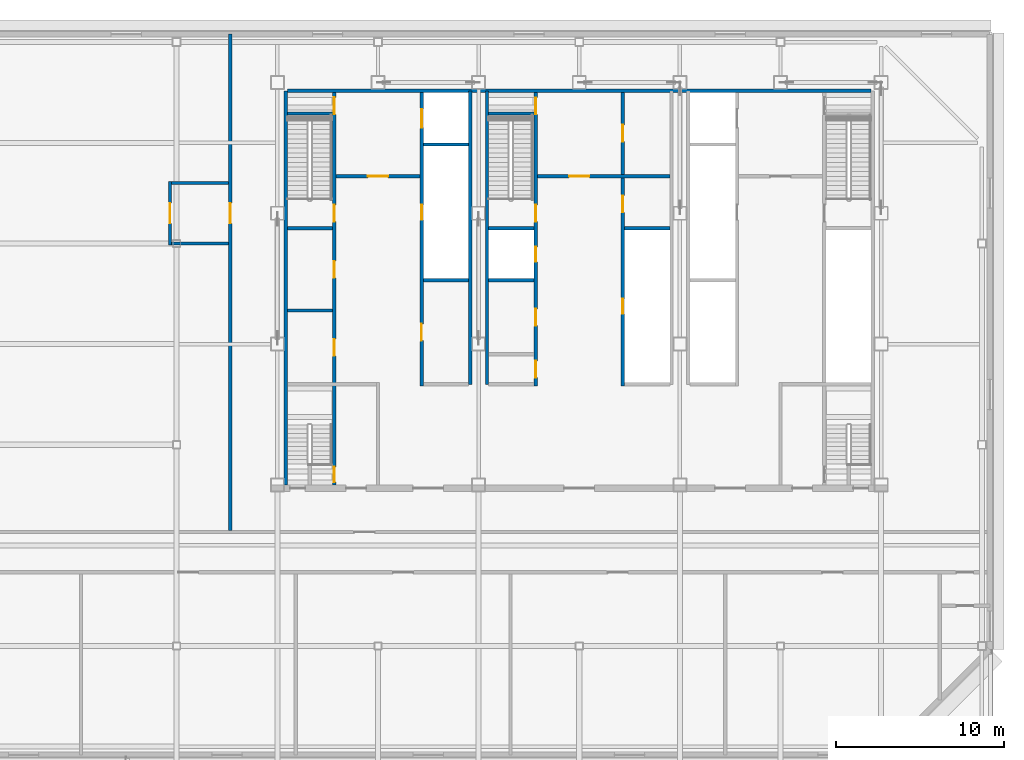
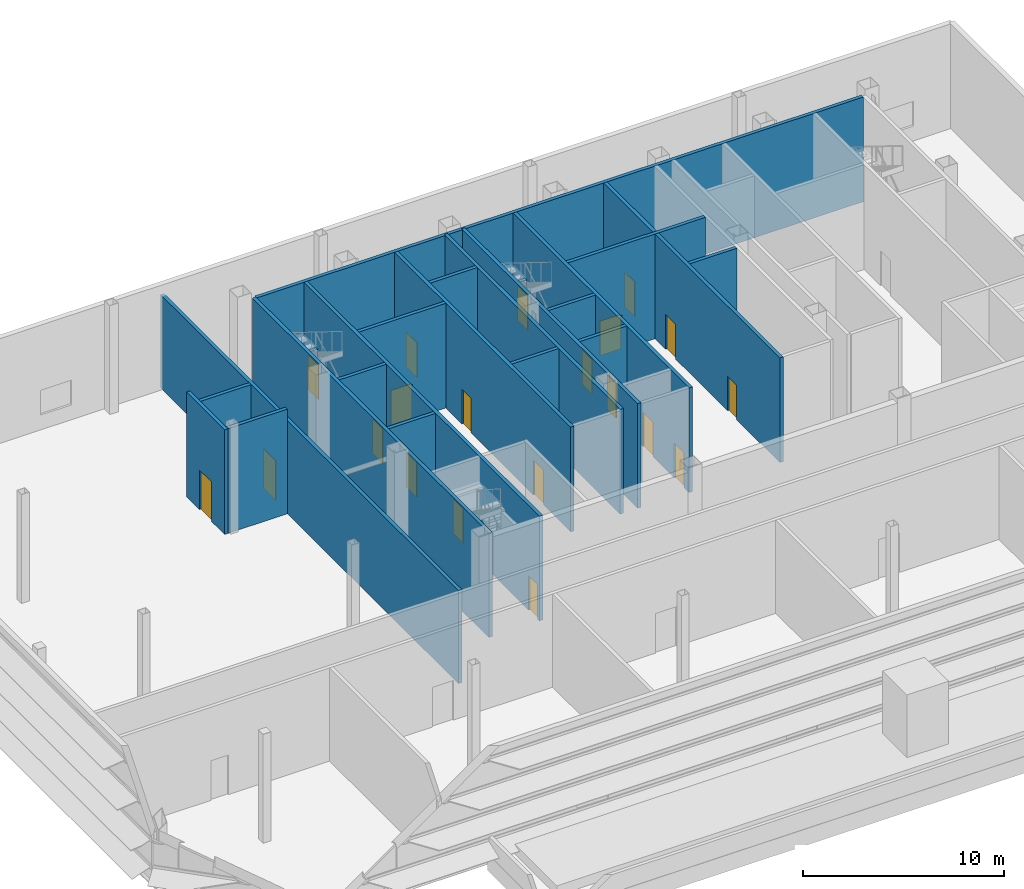
# One storey, part 6 of 14: 23 walls, 20 doors, 20 openings.
"""IFC4 building model written with IfcOpenShell, lengths in metres."""

from ifc_helpers import new_model, si_unit, direction, frame, frame_2d, origin, place, context, subcontext, project, spatial, rectangle, extrude, material, layer, layer_set, type_object, element, fill, save


model = new_model("IFC4")

# Units and contexts
model_context = context("Model", 3, precision=1e-05, world=origin(), true_north=direction((0.0, 1.0)))
body_context = subcontext(model_context, "Body", "Model", "MODEL_VIEW")
ifc_project = project(units=[si_unit("LENGTHUNIT", "METRE"), si_unit("AREAUNIT", "SQUARE_METRE"), si_unit("VOLUMEUNIT", "CUBIC_METRE"), si_unit("PLANEANGLEUNIT", "RADIAN"), si_unit("MASSUNIT", "GRAM", prefix="KILO")], contexts=[model_context])

# Site, building, storey
site_placement = place(None, origin())
site = spatial("IfcSite", under=ifc_project, at=site_placement, CompositionType="ELEMENT")
building_placement = place(site_placement, origin())
building = spatial("IfcBuilding", under=site, at=building_placement, Name="Sorahane Residences", CompositionType="ELEMENT")
storey_placement = place(building_placement, frame((0.0, 0.0, 331.199951171875)))
storey = spatial("IfcBuildingStorey", under=building, at=storey_placement, Name="L79", CompositionType="ELEMENT", Elevation=331.199951171875)

# Walls
ifc_material_1 = material(Name="Concrete C30", Category="concrete")
ifc_layer_1 = layer(ifc_material_1, 0.199951171875)
ifc_layer_set_1 = layer_set([ifc_layer_1], Name="Core face wall 200 EI 180")
wall_type_1 = type_object("IfcWallType", Name="Core face wall 200 EI 180", PredefinedType="SOLIDWALL", material=ifc_layer_set_1)
wall_1_placement = place(storey_placement, frame((6.5, 21.60009765625, 0.0), z_axis=(0.0, 0.0, 1.0), x_axis=(0.0, 1.0, 0.0)))
element("IfcWall", 1, at=wall_1_placement, inside=storey, type_object=wall_type_1, Name="L79 core face wall", PredefinedType="SOLIDWALL", context=body_context, shape_type="SweptSolid", body=[
    extrude(rectangle(XDim=23.5, YDim=0.199951171875, at=frame_2d((11.75, 0.0))), origin(), (0.0, 0.0, 1.0), 6.35009765625),
])
wall_2_placement = place(storey_placement, frame((6.60009765625, 45.10009765625, 0.0), z_axis=(0.0, 0.0, 1.0), x_axis=(1.0, 0.0, 0.0)))
element("IfcWall", 2, at=wall_2_placement, inside=storey, type_object=wall_type_1, Name="L79 core face wall", PredefinedType="SOLIDWALL", context=body_context, shape_type="SweptSolid", body=[
    extrude(rectangle(XDim=34.7998046875, YDim=0.199951171875, at=frame_2d((17.39990234375, 0.0))), origin(), (0.0, 0.0, 1.0), 6.35009765625),
])
for number, where, z_axis, x_axis, name in (
    (3, (17.5, 27.60009765625, 0.0), (0.0, 0.0, 1.0), (0.0, 1.0, 0.0), "L79 core face wall"),
    (4, (18.5, 27.60009765625, 0.0), (0.0, 0.0, 1.0), (0.0, 1.0, 0.0), "L79 core face wall"),
):
    element("IfcWall", number, at=place(storey_placement, frame(where, z_axis=z_axis, x_axis=x_axis)), inside=storey, type_object=wall_type_1, Name=name, PredefinedType="SOLIDWALL", context=body_context, shape_type="SweptSolid", body=[
        extrude(rectangle(XDim=17.5, YDim=0.199951171875, at=frame_2d((8.75, 0.0))), origin(), (0.0, 0.0, 1.0), 6.35009765625),
    ])

# Wall, opening, door
ifc_material_2 = material(Name="Concrete blockwork C20 wall", Category="masonry")
ifc_layer_2 = layer(ifc_material_2, 0.199951171875)
ifc_layer_set_2 = layer_set([ifc_layer_2], Name="Fire wall 200 EI 120")
wall_type_2 = type_object("IfcWallType", Name="Fire wall 200 EI 120", PredefinedType="SOLIDWALL", material=ifc_layer_set_2)
wall_3_placement = place(storey_placement, frame((-0.39990234375, 35.89990234375, 0.0), z_axis=(0.0, 0.0, 1.0), x_axis=(0.0, 1.0, 0.0)))
wall_3 = element("IfcWall", 5, at=wall_3_placement, inside=storey, type_object=wall_type_2, Name="L79 fire wall", PredefinedType="SOLIDWALL", context=body_context, shape_type="SweptSolid", body=[
    extrude(rectangle(XDim=3.800048828125, YDim=0.199951171875, at=frame_2d((1.89990234375, 0.0))), origin(), (0.0, 0.0, 1.0), 6.35009765625),
])
opening_1_placement = place(wall_3_placement, frame((1.300048828125, 0.0, 0.0)))
opening_1 = element("IfcOpeningElement", 6, at=opening_1_placement, cuts=wall_3, Name="Opening L79-09", PredefinedType="OPENING", context=body_context, shape_type="SweptSolid", body=[
    extrude(rectangle(XDim=1.199951171875, YDim=2.39990234375, at=frame_2d((0.60009765625, 1.199951171875))), frame((0.0, 0.10986328125, 0.0), z_axis=(0.0, -1.0, 0.0), x_axis=(1.0, 0.0, 0.0)), (0.0, 0.0, 1.0), 0.219970703125),
])
ifc_material_3 = material(Name="Steel", Category="steel")
door_type_1 = type_object("IfcDoorType", Name="Lobby door 1200x2400 FD60", OperationType="NOTDEFINED", PredefinedType="DOOR", material=ifc_material_3)
door_1_placement = place(opening_1_placement, origin())
door_1 = element("IfcDoor", 7, at=door_1_placement, inside=storey, type_object=door_type_1, Name="Lobby door L79-09", OperationType="SINGLE_SWING_LEFT", OverallHeight=2.39990234375, OverallWidth=1.199951171875, PredefinedType="DOOR", context=body_context, shape_type="SweptSolid", body=[
    extrude(rectangle(XDim=1.199951171875, YDim=2.39990234375, at=frame_2d((0.60009765625, 1.199951171875))), frame((0.0, 0.02490234375, 0.0), z_axis=(0.0, -1.0, 0.0), x_axis=(1.0, 0.0, 0.0)), (0.0, 0.0, 1.0), 0.050048828125),
])
fill(opening_1, door_1)

wall_4_placement = place(storey_placement, frame((3.199951171875, 18.89990234375, 0.0), z_axis=(0.0, 0.0, 1.0), x_axis=(0.0, 1.0, 0.0)))
wall_4 = element("IfcWall", 8, at=wall_4_placement, inside=storey, type_object=wall_type_2, Name="L79 fire wall", PredefinedType="SOLIDWALL", context=body_context, shape_type="SweptSolid", body=[
    extrude(rectangle(XDim=29.60009765625, YDim=0.199951171875, at=frame_2d((14.800048828125, 0.0))), origin(), (0.0, 0.0, 1.0), 5.650146484375),
])
opening_2_placement = place(wall_4_placement, frame((18.300048828125, 0.0, 0.0)))
opening_2 = element("IfcOpeningElement", 9, at=opening_2_placement, cuts=wall_4, Name="Opening L79-10", PredefinedType="OPENING", context=body_context, shape_type="SweptSolid", body=[
    extrude(rectangle(XDim=1.199951171875, YDim=2.39990234375, at=frame_2d((0.60009765625, 1.199951171875))), frame((0.0, 0.10986328125, 0.0), z_axis=(0.0, -1.0, 0.0), x_axis=(1.0, 0.0, 0.0)), (0.0, 0.0, 1.0), 0.219970703125),
])
door_2_placement = place(opening_2_placement, origin())
door_2 = element("IfcDoor", 10, at=door_2_placement, inside=storey, type_object=door_type_1, Name="Lobby door L79-10", OperationType="SINGLE_SWING_RIGHT", OverallHeight=2.39990234375, OverallWidth=1.199951171875, PredefinedType="DOOR", context=body_context, shape_type="SweptSolid", body=[
    extrude(rectangle(XDim=1.199951171875, YDim=2.39990234375, at=frame_2d((0.60009765625, 1.199951171875))), frame((0.0, 0.02490234375, 0.0), z_axis=(0.0, -1.0, 0.0), x_axis=(1.0, 0.0, 0.0)), (0.0, 0.0, 1.0), 0.050048828125),
])
fill(opening_2, door_2)

# Walls
wall_5_placement = place(storey_placement, frame((-0.300048828125, 36.0, 0.0), z_axis=(0.0, 0.0, 1.0), x_axis=(1.0, 0.0, 0.0)))
element("IfcWall", 11, at=wall_5_placement, inside=storey, type_object=wall_type_2, Name="L79 fire wall", PredefinedType="SOLIDWALL", context=body_context, shape_type="SweptSolid", body=[
    extrude(rectangle(XDim=3.400146484375, YDim=0.199951171875, at=frame_2d((1.7001953125, 0.0))), origin(), (0.0, 0.0, 1.0), 6.35009765625),
])
wall_6_placement = place(storey_placement, frame((-0.300048828125, 39.60009765625, 0.0), z_axis=(0.0, 0.0, 1.0), x_axis=(1.0, 0.0, 0.0)))
element("IfcWall", 12, at=wall_6_placement, inside=storey, type_object=wall_type_2, Name="L79 fire wall", PredefinedType="SOLIDWALL", context=body_context, shape_type="SweptSolid", body=[
    extrude(rectangle(XDim=3.400146484375, YDim=0.199951171875, at=frame_2d((1.7001953125, 0.0))), origin(), (0.0, 0.0, 1.0), 5.650146484375),
])

# Wall, opening, door
ifc_material_4 = material(Name="Concrete C30", Category="concrete")
ifc_layer_3 = layer(ifc_material_4, 0.199951171875)
ifc_layer_set_3 = layer_set([ifc_layer_3], Name="Front room wall 200 EI 120")
wall_type_3 = type_object("IfcWallType", Name="Front room wall 200 EI 120", PredefinedType="PARTITIONING", material=ifc_layer_set_3)
wall_7_placement = place(storey_placement, frame((21.5, 40.0, 0.0), z_axis=(0.0, 0.0, 1.0), x_axis=(1.0, 0.0, 0.0)))
wall_7 = element("IfcWall", 13, at=wall_7_placement, inside=storey, type_object=wall_type_3, Name="L79 front room wall", PredefinedType="PARTITIONING", context=body_context, shape_type="SweptSolid", body=[
    extrude(rectangle(XDim=7.89990234375, YDim=0.199951171875, at=frame_2d((3.949951171875, 0.0))), origin(), (0.0, 0.0, 1.0), 6.35009765625),
])
opening_3_placement = place(wall_7_placement, frame((1.89990234375, 0.0, 0.0)))
opening_3 = element("IfcOpeningElement", 14, at=opening_3_placement, cuts=wall_7, Name="Opening L79-C07", PredefinedType="OPENING", context=body_context, shape_type="SweptSolid", body=[
    extrude(rectangle(XDim=1.199951171875, YDim=2.10009765625, at=frame_2d((0.60009765625, 1.050048828125))), frame((0.0, 0.10986328125, 0.0), z_axis=(0.0, -1.0, 0.0), x_axis=(1.0, 0.0, 0.0)), (0.0, 0.0, 1.0), 0.219970703125),
])
ifc_material_5 = material(Name="Steel", Category="steel")
door_type_2 = type_object("IfcDoorType", Name="Front room door 1200x2100 FD120", OperationType="NOTDEFINED", PredefinedType="DOOR", material=ifc_material_5)
door_3_placement = place(opening_3_placement, frame((1.199951171875, 0.0, 0.0), z_axis=(0.0, 0.0, 1.0), x_axis=(-1.0, 0.0, 0.0)))
door_3 = element("IfcDoor", 15, at=door_3_placement, inside=storey, type_object=door_type_2, Name="Front room door Stair S3 vestibule L79", OperationType="DOUBLE_DOOR_SINGLE_SWING", OverallHeight=2.10009765625, OverallWidth=1.199951171875, PredefinedType="DOOR", context=body_context, shape_type="SweptSolid", body=[
    extrude(rectangle(XDim=1.199951171875, YDim=2.10009765625, at=frame_2d((0.60009765625, 1.050048828125))), frame((0.0, 0.02490234375, 0.0), z_axis=(0.0, -1.0, 0.0), x_axis=(1.0, 0.0, 0.0)), (0.0, 0.0, 1.0), 0.050048828125),
])
fill(opening_3, door_3)

wall_8_placement = place(storey_placement, frame((9.5, 40.0, 0.0), z_axis=(0.0, 0.0, 1.0), x_axis=(1.0, 0.0, 0.0)))
wall_8 = element("IfcWall", 16, at=wall_8_placement, inside=storey, type_object=wall_type_3, Name="L79 front room wall", PredefinedType="PARTITIONING", context=body_context, shape_type="SweptSolid", body=[
    extrude(rectangle(XDim=5.0, YDim=0.199951171875, at=frame_2d((2.5, 0.0))), origin(), (0.0, 0.0, 1.0), 6.35009765625),
])
opening_4_placement = place(wall_8_placement, frame((1.89990234375, 0.0, 0.0)))
opening_4 = element("IfcOpeningElement", 17, at=opening_4_placement, cuts=wall_8, Name="Opening L79-C06", PredefinedType="OPENING", context=body_context, shape_type="SweptSolid", body=[
    extrude(rectangle(XDim=1.199951171875, YDim=2.10009765625, at=frame_2d((0.60009765625, 1.050048828125))), frame((0.0, 0.10986328125, 0.0), z_axis=(0.0, -1.0, 0.0), x_axis=(1.0, 0.0, 0.0)), (0.0, 0.0, 1.0), 0.219970703125),
])
door_4_placement = place(opening_4_placement, frame((1.199951171875, 0.0, 0.0), z_axis=(0.0, 0.0, 1.0), x_axis=(-1.0, 0.0, 0.0)))
door_4 = element("IfcDoor", 18, at=door_4_placement, inside=storey, type_object=door_type_2, Name="Front room door Firefighting lobby FF1 front room L79", OperationType="DOUBLE_DOOR_SINGLE_SWING", OverallHeight=2.10009765625, OverallWidth=1.199951171875, PredefinedType="DOOR", context=body_context, shape_type="SweptSolid", body=[
    extrude(rectangle(XDim=1.199951171875, YDim=2.10009765625, at=frame_2d((0.60009765625, 1.050048828125))), frame((0.0, 0.02490234375, 0.0), z_axis=(0.0, -1.0, 0.0), x_axis=(1.0, 0.0, 0.0)), (0.0, 0.0, 1.0), 0.050048828125),
])
fill(opening_4, door_4)

# Wall, openings, doors
ifc_material_6 = material(Name="Concrete C30", Category="concrete")
ifc_layer_4 = layer(ifc_material_6, 0.199951171875)
ifc_layer_set_4 = layer_set([ifc_layer_4], Name="Lift shaft wall 200 EI 120")
wall_type_4 = type_object("IfcWallType", Name="Lift shaft wall 200 EI 120", PredefinedType="SOLIDWALL", material=ifc_layer_set_4)
wall_9_placement = place(storey_placement, frame((14.60009765625, 27.5, 0.0), z_axis=(0.0, 0.0, 1.0), x_axis=(0.0, 1.0, 0.0)))
wall_9 = element("IfcWall", 19, at=wall_9_placement, inside=storey, type_object=wall_type_4, Name="L79 lift shaft wall", PredefinedType="SOLIDWALL", context=body_context, shape_type="SweptSolid", body=[
    extrude(rectangle(XDim=17.5, YDim=0.199951171875, at=frame_2d((8.75, 0.0))), origin(), (0.0, 0.0, 1.0), 6.35009765625),
])
opening_5_placement = place(wall_9_placement, frame((15.39990234375, 0.0, 0.0)))
opening_5 = element("IfcOpeningElement", 20, at=opening_5_placement, cuts=wall_9, Name="Opening L79-C10", PredefinedType="OPENING", context=body_context, shape_type="SweptSolid", body=[
    extrude(rectangle(XDim=1.10009765625, YDim=2.10009765625, at=frame_2d((0.550048828125, 1.050048828125))), frame((0.0, 0.10986328125, 0.0), z_axis=(0.0, -1.0, 0.0), x_axis=(1.0, 0.0, 0.0)), (0.0, 0.0, 1.0), 0.219970703125),
])
opening_6_placement = place(wall_9_placement, frame((2.699951171875, 0.0, 0.0)))
opening_6 = element("IfcOpeningElement", 21, at=opening_6_placement, cuts=wall_9, Name="Opening L79-C13", PredefinedType="OPENING", context=body_context, shape_type="SweptSolid", body=[
    extrude(rectangle(XDim=1.0, YDim=2.10009765625, at=frame_2d((0.5, 1.050048828125))), frame((0.0, 0.10986328125, 0.0), z_axis=(0.0, -1.0, 0.0), x_axis=(1.0, 0.0, 0.0)), (0.0, 0.0, 1.0), 0.219970703125),
])
opening_7_placement = place(wall_9_placement, frame((9.89990234375, 0.0, 0.0)))
opening_7 = element("IfcOpeningElement", 22, at=opening_7_placement, cuts=wall_9, Name="Opening L79-C26", PredefinedType="OPENING", context=body_context, shape_type="SweptSolid", body=[
    extrude(rectangle(XDim=0.89990234375, YDim=2.10009765625, at=frame_2d((0.449951171875, 1.050048828125))), frame((0.0, 0.10986328125, 0.0), z_axis=(0.0, -1.0, 0.0), x_axis=(1.0, 0.0, 0.0)), (0.0, 0.0, 1.0), 0.219970703125),
])
ifc_material_7 = material(Name="Aluminium and stainless steel", Category="steel")
door_type_3 = type_object("IfcDoorType", Name="Lift landing door 1100x2100 E 60", OperationType="NOTDEFINED", PredefinedType="DOOR", material=ifc_material_7)
door_5_placement = place(opening_5_placement, origin())
door_5 = element("IfcDoor", 23, at=door_5_placement, inside=storey, type_object=door_type_3, Name="Lift landing door FF1 L79", OperationType="DOUBLE_DOOR_SLIDING", OverallHeight=2.10009765625, OverallWidth=1.10009765625, PredefinedType="DOOR", context=body_context, shape_type="SweptSolid", body=[
    extrude(rectangle(XDim=1.10009765625, YDim=2.10009765625, at=frame_2d((0.550048828125, 1.050048828125))), frame((0.0, 0.02490234375, 0.0), z_axis=(0.0, -1.0, 0.0), x_axis=(1.0, 0.0, 0.0)), (0.0, 0.0, 1.0), 0.050048828125),
])
fill(opening_5, door_5)
ifc_material_8 = material(Name="Steel", Category="steel")
door_type_4 = type_object("IfcDoorType", Name="Riser door 900x2100 FD120", OperationType="NOTDEFINED", PredefinedType="DOOR", material=ifc_material_8)
door_6_placement = place(opening_7_placement, origin())
door_6 = element("IfcDoor", 24, at=door_6_placement, inside=storey, type_object=door_type_4, Name="Riser door R1 L79", OperationType="SINGLE_SWING_LEFT", OverallHeight=2.10009765625, OverallWidth=0.89990234375, PredefinedType="DOOR", context=body_context, shape_type="SweptSolid", body=[
    extrude(rectangle(XDim=0.89990234375, YDim=2.10009765625, at=frame_2d((0.449951171875, 1.050048828125))), frame((0.0, 0.02490234375, 0.0), z_axis=(0.0, -1.0, 0.0), x_axis=(1.0, 0.0, 0.0)), (0.0, 0.0, 1.0), 0.050048828125),
])
fill(opening_7, door_6)
ifc_material_9 = material(Name="Steel", Category="steel")
door_type_5 = type_object("IfcDoorType", Name="Service room door 1000x2100 FD60", OperationType="NOTDEFINED", PredefinedType="DOOR", material=ifc_material_9)
door_7_placement = place(opening_6_placement, frame((1.0, 0.0, 0.0), z_axis=(0.0, 0.0, 1.0), x_axis=(-1.0, 0.0, 0.0)))
door_7 = element("IfcDoor", 25, at=door_7_placement, inside=storey, type_object=door_type_5, Name="Service room door Audio room L79", OperationType="SINGLE_SWING_RIGHT", OverallHeight=2.10009765625, OverallWidth=1.0, PredefinedType="DOOR", context=body_context, shape_type="SweptSolid", body=[
    extrude(rectangle(XDim=1.0, YDim=2.10009765625, at=frame_2d((0.5, 1.050048828125))), frame((0.0, 0.02490234375, 0.0), z_axis=(0.0, -1.0, 0.0), x_axis=(1.0, 0.0, 0.0)), (0.0, 0.0, 1.0), 0.050048828125),
])
fill(opening_6, door_7)

# Wall
wall_10_placement = place(storey_placement, frame((14.699951171875, 41.89990234375, 0.0), z_axis=(0.0, 0.0, 1.0), x_axis=(1.0, 0.0, 0.0)))
element("IfcWall", 26, at=wall_10_placement, inside=storey, type_object=wall_type_4, Name="L79 lift shaft wall", PredefinedType="SOLIDWALL", context=body_context, shape_type="SweptSolid", body=[
    extrude(rectangle(XDim=2.699951171875, YDim=0.199951171875, at=frame_2d((1.35009765625, 0.0))), origin(), (0.0, 0.0, 1.0), 6.35009765625),
])

# Wall, openings, doors
ifc_material_10 = material(Name="Concrete C30", Category="concrete")
ifc_layer_5 = layer(ifc_material_10, 0.199951171875)
ifc_layer_set_5 = layer_set([ifc_layer_5], Name="Riser shaft wall 200 EI 120")
wall_type_5 = type_object("IfcWallType", Name="Riser shaft wall 200 EI 120", PredefinedType="SOLIDWALL", material=ifc_layer_set_5)
wall_11_placement = place(storey_placement, frame((26.60009765625, 27.5, 0.0), z_axis=(0.0, 0.0, 1.0), x_axis=(0.0, 1.0, 0.0)))
wall_11 = element("IfcWall", 27, at=wall_11_placement, inside=storey, type_object=wall_type_5, Name="L79 riser wall", PredefinedType="SOLIDWALL", context=body_context, shape_type="SweptSolid", body=[
    extrude(rectangle(XDim=17.5, YDim=0.199951171875, at=frame_2d((8.75, 0.0))), origin(), (0.0, 0.0, 1.0), 6.35009765625),
])
opening_8_placement = place(wall_11_placement, frame((4.300048828125, 0.0, 0.0)))
opening_8 = element("IfcOpeningElement", 28, at=opening_8_placement, cuts=wall_11, Name="Opening L79-C29", PredefinedType="OPENING", context=body_context, shape_type="SweptSolid", body=[
    extrude(rectangle(XDim=0.89990234375, YDim=2.10009765625, at=frame_2d((0.449951171875, 1.050048828125))), frame((0.0, 0.10986328125, 0.0), z_axis=(0.0, -1.0, 0.0), x_axis=(1.0, 0.0, 0.0)), (0.0, 0.0, 1.0), 0.219970703125),
])
opening_9_placement = place(wall_11_placement, frame((10.35009765625, 0.0, 0.0)))
opening_9 = element("IfcOpeningElement", 29, at=opening_9_placement, cuts=wall_11, Name="Opening L79-C30", PredefinedType="OPENING", context=body_context, shape_type="SweptSolid", body=[
    extrude(rectangle(XDim=1.0, YDim=2.10009765625, at=frame_2d((0.5, 1.050048828125))), frame((0.0, 0.10986328125, 0.0), z_axis=(0.0, -1.0, 0.0), x_axis=(1.0, 0.0, 0.0)), (0.0, 0.0, 1.0), 0.219970703125),
])
opening_10_placement = place(wall_11_placement, frame((14.574951171875, 0.0, 0.0)))
opening_10 = element("IfcOpeningElement", 30, at=opening_10_placement, cuts=wall_11, Name="Opening L79-C31", PredefinedType="OPENING", context=body_context, shape_type="SweptSolid", body=[
    extrude(rectangle(XDim=1.0, YDim=2.10009765625, at=frame_2d((0.5, 1.050048828125))), frame((0.0, 0.10986328125, 0.0), z_axis=(0.0, -1.0, 0.0), x_axis=(1.0, 0.0, 0.0)), (0.0, 0.0, 1.0), 0.219970703125),
])
door_8_placement = place(opening_8_placement, origin())
door_8 = element("IfcDoor", 31, at=door_8_placement, inside=storey, type_object=door_type_4, Name="Riser door R4 L79", OperationType="SINGLE_SWING_LEFT", OverallHeight=2.10009765625, OverallWidth=0.89990234375, PredefinedType="DOOR", context=body_context, shape_type="SweptSolid", body=[
    extrude(rectangle(XDim=0.89990234375, YDim=2.10009765625, at=frame_2d((0.449951171875, 1.050048828125))), frame((0.0, 0.02490234375, 0.0), z_axis=(0.0, -1.0, 0.0), x_axis=(1.0, 0.0, 0.0)), (0.0, 0.0, 1.0), 0.050048828125),
])
fill(opening_8, door_8)
door_9_placement = place(opening_9_placement, frame((1.0, 0.0, 0.0), z_axis=(0.0, 0.0, 1.0), x_axis=(-1.0, 0.0, 0.0)))
door_9 = element("IfcDoor", 32, at=door_9_placement, inside=storey, type_object=door_type_5, Name="Service room door Linen room L79", OperationType="SINGLE_SWING_LEFT", OverallHeight=2.10009765625, OverallWidth=1.0, PredefinedType="DOOR", context=body_context, shape_type="SweptSolid", body=[
    extrude(rectangle(XDim=1.0, YDim=2.10009765625, at=frame_2d((0.5, 1.050048828125))), frame((0.0, 0.02490234375, 0.0), z_axis=(0.0, -1.0, 0.0), x_axis=(1.0, 0.0, 0.0)), (0.0, 0.0, 1.0), 0.050048828125),
])
fill(opening_9, door_9)
door_10_placement = place(opening_10_placement, frame((1.0, 0.0, 0.0), z_axis=(0.0, 0.0, 1.0), x_axis=(-1.0, 0.0, 0.0)))
door_10 = element("IfcDoor", 33, at=door_10_placement, inside=storey, type_object=door_type_5, Name="Service room door Cleaners' store L79", OperationType="SINGLE_SWING_LEFT", OverallHeight=2.10009765625, OverallWidth=1.0, PredefinedType="DOOR", context=body_context, shape_type="SweptSolid", body=[
    extrude(rectangle(XDim=1.0, YDim=2.10009765625, at=frame_2d((0.5, 1.050048828125))), frame((0.0, 0.02490234375, 0.0), z_axis=(0.0, -1.0, 0.0), x_axis=(1.0, 0.0, 0.0)), (0.0, 0.0, 1.0), 0.050048828125),
])
fill(opening_10, door_10)

# Walls
for number, where, z_axis, x_axis, name in (
    (34, (14.699951171875, 33.800048828125, 0.0), (0.0, 0.0, 1.0), (1.0, 0.0, 0.0), "L79 riser wall"),
    (35, (18.60009765625, 33.800048828125, 0.0), (0.0, 0.0, 1.0), (1.0, 0.0, 0.0), "L79 riser wall"),
    (36, (26.699951171875, 36.89990234375, 0.0), (0.0, 0.0, 1.0), (1.0, 0.0, 0.0), "L79 riser wall"),
):
    element("IfcWall", number, at=place(storey_placement, frame(where, z_axis=z_axis, x_axis=x_axis)), inside=storey, type_object=wall_type_5, Name=name, PredefinedType="SOLIDWALL", context=body_context, shape_type="SweptSolid", body=[
        extrude(rectangle(XDim=2.699951171875, YDim=0.199951171875, at=frame_2d((1.35009765625, 0.0))), origin(), (0.0, 0.0, 1.0), 6.35009765625),
    ])
ifc_material_11 = material(Name="Concrete C30", Category="concrete")
ifc_layer_6 = layer(ifc_material_11, 0.199951171875)
ifc_layer_set_6 = layer_set([ifc_layer_6], Name="Service room partition 200 EI 60")
wall_type_6 = type_object("IfcWallType", Name="Service room partition 200 EI 60", PredefinedType="PARTITIONING", material=ifc_layer_set_6)
wall_12_placement = place(storey_placement, frame((6.60009765625, 32.0, 0.0), z_axis=(0.0, 0.0, 1.0), x_axis=(1.0, 0.0, 0.0)))
element("IfcWall", 37, at=wall_12_placement, inside=storey, type_object=wall_type_6, Name="L79 service room wall", PredefinedType="PARTITIONING", context=body_context, shape_type="SweptSolid", body=[
    extrude(rectangle(XDim=2.699951171875, YDim=0.199951171875, at=frame_2d((1.35009765625, 0.0))), origin(), (0.0, 0.0, 1.0), 6.35009765625),
])

# Wall, openings, doors
ifc_material_12 = material(Name="Concrete C30", Category="concrete")
ifc_layer_7 = layer(ifc_material_12, 0.199951171875)
ifc_layer_set_7 = layer_set([ifc_layer_7], Name="Stair enclosure wall 200 EI 120")
wall_type_7 = type_object("IfcWallType", Name="Stair enclosure wall 200 EI 120", PredefinedType="SOLIDWALL", material=ifc_layer_set_7)
wall_13_placement = place(storey_placement, frame((21.39990234375, 27.5, 0.0), z_axis=(0.0, 0.0, 1.0), x_axis=(0.0, 1.0, 0.0)))
wall_13 = element("IfcWall", 38, at=wall_13_placement, inside=storey, type_object=wall_type_7, Name="L79 stair enclosure wall", PredefinedType="SOLIDWALL", context=body_context, shape_type="SweptSolid", body=[
    extrude(rectangle(XDim=17.5, YDim=0.199951171875, at=frame_2d((8.75, 0.0))), origin(), (0.0, 0.0, 1.0), 6.35009765625),
])
opening_11_placement = place(wall_13_placement, frame((0.5, 0.0, 0.0)))
opening_11 = element("IfcOpeningElement", 39, at=opening_11_placement, cuts=wall_13, Name="Opening L79-C11", PredefinedType="OPENING", context=body_context, shape_type="SweptSolid", body=[
    extrude(rectangle(XDim=1.0, YDim=2.10009765625, at=frame_2d((0.5, 1.050048828125))), frame((0.0, 0.10986328125, 0.0), z_axis=(0.0, -1.0, 0.0), x_axis=(1.0, 0.0, 0.0)), (0.0, 0.0, 1.0), 0.219970703125),
])
opening_12_placement = place(wall_13_placement, frame((3.60009765625, 0.0, 0.0)))
opening_12 = element("IfcOpeningElement", 40, at=opening_12_placement, cuts=wall_13, Name="Opening L79-C12", PredefinedType="OPENING", context=body_context, shape_type="SweptSolid", body=[
    extrude(rectangle(XDim=1.0, YDim=2.10009765625, at=frame_2d((0.5, 1.050048828125))), frame((0.0, 0.10986328125, 0.0), z_axis=(0.0, -1.0, 0.0), x_axis=(1.0, 0.0, 0.0)), (0.0, 0.0, 1.0), 0.219970703125),
])
opening_13_placement = place(wall_13_placement, frame((16.199951171875, 0.0, 0.0)))
opening_13 = element("IfcOpeningElement", 41, at=opening_13_placement, cuts=wall_13, Name="Opening L79-C20", PredefinedType="OPENING", context=body_context, shape_type="SweptSolid", body=[
    extrude(rectangle(XDim=1.0, YDim=2.10009765625, at=frame_2d((0.5, 1.050048828125))), frame((0.0, 0.10986328125, 0.0), z_axis=(0.0, -1.0, 0.0), x_axis=(1.0, 0.0, 0.0)), (0.0, 0.0, 1.0), 0.219970703125),
])
opening_14_placement = place(wall_13_placement, frame((9.800048828125, 0.0, 0.0)))
opening_14 = element("IfcOpeningElement", 42, at=opening_14_placement, cuts=wall_13, Name="Opening L79-C21", PredefinedType="OPENING", context=body_context, shape_type="SweptSolid", body=[
    extrude(rectangle(XDim=1.0, YDim=2.10009765625, at=frame_2d((0.5, 1.050048828125))), frame((0.0, 0.10986328125, 0.0), z_axis=(0.0, -1.0, 0.0), x_axis=(1.0, 0.0, 0.0)), (0.0, 0.0, 1.0), 0.219970703125),
])
opening_15_placement = place(wall_13_placement, frame((7.39990234375, 0.0, 0.0)))
opening_15 = element("IfcOpeningElement", 43, at=opening_15_placement, cuts=wall_13, Name="Opening L79-C28", PredefinedType="OPENING", context=body_context, shape_type="SweptSolid", body=[
    extrude(rectangle(XDim=0.89990234375, YDim=2.10009765625, at=frame_2d((0.449951171875, 1.050048828125))), frame((0.0, 0.10986328125, 0.0), z_axis=(0.0, -1.0, 0.0), x_axis=(1.0, 0.0, 0.0)), (0.0, 0.0, 1.0), 0.219970703125),
])
ifc_material_13 = material(Name="Steel", Category="steel")
door_type_6 = type_object("IfcDoorType", Name="Refuge stair door 1000x2100 FD120", OperationType="NOTDEFINED", PredefinedType="DOOR", material=ifc_material_13)
door_11_placement = place(opening_13_placement, origin())
door_11 = element("IfcDoor", 44, at=door_11_placement, inside=storey, type_object=door_type_6, Name="Refuge stair door S3 L79", OperationType="SINGLE_SWING_LEFT", OverallHeight=2.10009765625, OverallWidth=1.0, PredefinedType="DOOR", context=body_context, shape_type="SweptSolid", body=[
    extrude(rectangle(XDim=1.0, YDim=2.10009765625, at=frame_2d((0.5, 1.050048828125))), frame((0.0, 0.02490234375, 0.0), z_axis=(0.0, -1.0, 0.0), x_axis=(1.0, 0.0, 0.0)), (0.0, 0.0, 1.0), 0.050048828125),
])
fill(opening_13, door_11)
door_12_placement = place(opening_14_placement, origin())
door_12 = element("IfcDoor", 45, at=door_12_placement, inside=storey, type_object=door_type_6, Name="Refuge stair door S3 L79", OperationType="SINGLE_SWING_LEFT", OverallHeight=2.10009765625, OverallWidth=1.0, PredefinedType="DOOR", context=body_context, shape_type="SweptSolid", body=[
    extrude(rectangle(XDim=1.0, YDim=2.10009765625, at=frame_2d((0.5, 1.050048828125))), frame((0.0, 0.02490234375, 0.0), z_axis=(0.0, -1.0, 0.0), x_axis=(1.0, 0.0, 0.0)), (0.0, 0.0, 1.0), 0.050048828125),
])
fill(opening_14, door_12)
door_13_placement = place(opening_15_placement, frame((0.89990234375, 0.0, 0.0), z_axis=(0.0, 0.0, 1.0), x_axis=(-1.0, 0.0, 0.0)))
door_13 = element("IfcDoor", 46, at=door_13_placement, inside=storey, type_object=door_type_4, Name="Riser door R3 L79", OperationType="SINGLE_SWING_LEFT", OverallHeight=2.10009765625, OverallWidth=0.89990234375, PredefinedType="DOOR", context=body_context, shape_type="SweptSolid", body=[
    extrude(rectangle(XDim=0.89990234375, YDim=2.10009765625, at=frame_2d((0.449951171875, 1.050048828125))), frame((0.0, 0.02490234375, 0.0), z_axis=(0.0, -1.0, 0.0), x_axis=(1.0, 0.0, 0.0)), (0.0, 0.0, 1.0), 0.050048828125),
])
fill(opening_15, door_13)
door_14_placement = place(opening_11_placement, origin())
door_14 = element("IfcDoor", 47, at=door_14_placement, inside=storey, type_object=door_type_5, Name="Service room door Gift store L79", OperationType="SINGLE_SWING_RIGHT", OverallHeight=2.10009765625, OverallWidth=1.0, PredefinedType="DOOR", context=body_context, shape_type="SweptSolid", body=[
    extrude(rectangle(XDim=1.0, YDim=2.10009765625, at=frame_2d((0.5, 1.050048828125))), frame((0.0, 0.02490234375, 0.0), z_axis=(0.0, -1.0, 0.0), x_axis=(1.0, 0.0, 0.0)), (0.0, 0.0, 1.0), 0.050048828125),
])
fill(opening_11, door_14)
door_15_placement = place(opening_12_placement, origin())
door_15 = element("IfcDoor", 48, at=door_15_placement, inside=storey, type_object=door_type_5, Name="Service room door Valet store L79", OperationType="SINGLE_SWING_LEFT", OverallHeight=2.10009765625, OverallWidth=1.0, PredefinedType="DOOR", context=body_context, shape_type="SweptSolid", body=[
    extrude(rectangle(XDim=1.0, YDim=2.10009765625, at=frame_2d((0.5, 1.050048828125))), frame((0.0, 0.02490234375, 0.0), z_axis=(0.0, -1.0, 0.0), x_axis=(1.0, 0.0, 0.0)), (0.0, 0.0, 1.0), 0.050048828125),
])
fill(opening_12, door_15)

wall_14_placement = place(storey_placement, frame((9.39990234375, 21.60009765625, 0.0), z_axis=(0.0, 0.0, 1.0), x_axis=(0.0, 1.0, 0.0)))
wall_14 = element("IfcWall", 49, at=wall_14_placement, inside=storey, type_object=wall_type_7, Name="L79 stair enclosure wall", PredefinedType="SOLIDWALL", context=body_context, shape_type="SweptSolid", body=[
    extrude(rectangle(XDim=23.39990234375, YDim=0.199951171875, at=frame_2d((11.699951171875, 0.0))), origin(), (0.0, 0.0, 1.0), 6.35009765625),
])
opening_16_placement = place(wall_14_placement, frame((7.699951171875, 0.0, 0.0)))
opening_16 = element("IfcOpeningElement", 50, at=opening_16_placement, cuts=wall_14, Name="Opening L79-C14", PredefinedType="OPENING", context=body_context, shape_type="SweptSolid", body=[
    extrude(rectangle(XDim=1.0, YDim=2.10009765625, at=frame_2d((0.5, 1.050048828125))), frame((0.0, 0.10986328125, 0.0), z_axis=(0.0, -1.0, 0.0), x_axis=(1.0, 0.0, 0.0)), (0.0, 0.0, 1.0), 0.219970703125),
])
opening_17_placement = place(wall_14_placement, frame((12.35009765625, 0.0, 0.0)))
opening_17 = element("IfcOpeningElement", 51, at=opening_17_placement, cuts=wall_14, Name="Opening L79-C15", PredefinedType="OPENING", context=body_context, shape_type="SweptSolid", body=[
    extrude(rectangle(XDim=1.0, YDim=2.10009765625, at=frame_2d((0.5, 1.050048828125))), frame((0.0, 0.10986328125, 0.0), z_axis=(0.0, -1.0, 0.0), x_axis=(1.0, 0.0, 0.0)), (0.0, 0.0, 1.0), 0.219970703125),
])
opening_18_placement = place(wall_14_placement, frame((22.10009765625, 0.0, 0.0)))
opening_18 = element("IfcOpeningElement", 52, at=opening_18_placement, cuts=wall_14, Name="Opening L79-C16", PredefinedType="OPENING", context=body_context, shape_type="SweptSolid", body=[
    extrude(rectangle(XDim=1.0, YDim=2.10009765625, at=frame_2d((0.5, 1.050048828125))), frame((0.0, 0.10986328125, 0.0), z_axis=(0.0, -1.0, 0.0), x_axis=(1.0, 0.0, 0.0)), (0.0, 0.0, 1.0), 0.219970703125),
])
opening_19_placement = place(wall_14_placement, frame((15.699951171875, 0.0, 0.0)))
opening_19 = element("IfcOpeningElement", 53, at=opening_19_placement, cuts=wall_14, Name="Opening L79-C17", PredefinedType="OPENING", context=body_context, shape_type="SweptSolid", body=[
    extrude(rectangle(XDim=1.0, YDim=2.10009765625, at=frame_2d((0.5, 1.050048828125))), frame((0.0, 0.10986328125, 0.0), z_axis=(0.0, -1.0, 0.0), x_axis=(1.0, 0.0, 0.0)), (0.0, 0.0, 1.0), 0.219970703125),
])
opening_20_placement = place(wall_14_placement, frame((0.175048828125, 0.0, 0.0)))
opening_20 = element("IfcOpeningElement", 54, at=opening_20_placement, cuts=wall_14, Name="Opening L79-C23", PredefinedType="OPENING", context=body_context, shape_type="SweptSolid", body=[
    extrude(rectangle(XDim=0.89990234375, YDim=2.10009765625, at=frame_2d((0.449951171875, 1.050048828125))), frame((0.0, 0.10986328125, 0.0), z_axis=(0.0, -1.0, 0.0), x_axis=(1.0, 0.0, 0.0)), (0.0, 0.0, 1.0), 0.219970703125),
])
door_16_placement = place(opening_18_placement, origin())
door_16 = element("IfcDoor", 55, at=door_16_placement, inside=storey, type_object=door_type_6, Name="Refuge stair door S1 L79", OperationType="SINGLE_SWING_LEFT", OverallHeight=2.10009765625, OverallWidth=1.0, PredefinedType="DOOR", context=body_context, shape_type="SweptSolid", body=[
    extrude(rectangle(XDim=1.0, YDim=2.10009765625, at=frame_2d((0.5, 1.050048828125))), frame((0.0, 0.02490234375, 0.0), z_axis=(0.0, -1.0, 0.0), x_axis=(1.0, 0.0, 0.0)), (0.0, 0.0, 1.0), 0.050048828125),
])
fill(opening_18, door_16)
door_17_placement = place(opening_19_placement, origin())
door_17 = element("IfcDoor", 56, at=door_17_placement, inside=storey, type_object=door_type_6, Name="Refuge stair door S1 L79", OperationType="SINGLE_SWING_LEFT", OverallHeight=2.10009765625, OverallWidth=1.0, PredefinedType="DOOR", context=body_context, shape_type="SweptSolid", body=[
    extrude(rectangle(XDim=1.0, YDim=2.10009765625, at=frame_2d((0.5, 1.050048828125))), frame((0.0, 0.02490234375, 0.0), z_axis=(0.0, -1.0, 0.0), x_axis=(1.0, 0.0, 0.0)), (0.0, 0.0, 1.0), 0.050048828125),
])
fill(opening_19, door_17)
ifc_material_14 = material(Name="Steel", Category="steel")
door_type_7 = type_object("IfcDoorType", Name="Refuge stair door 900x2100 FD120", OperationType="NOTDEFINED", PredefinedType="DOOR", material=ifc_material_14)
door_18_placement = place(opening_20_placement, origin())
door_18 = element("IfcDoor", 57, at=door_18_placement, inside=storey, type_object=door_type_7, Name="Refuge stair door S4 L79", OperationType="SINGLE_SWING_LEFT", OverallHeight=2.10009765625, OverallWidth=0.89990234375, PredefinedType="DOOR", context=body_context, shape_type="SweptSolid", body=[
    extrude(rectangle(XDim=0.89990234375, YDim=2.10009765625, at=frame_2d((0.449951171875, 1.050048828125))), frame((0.0, 0.02490234375, 0.0), z_axis=(0.0, -1.0, 0.0), x_axis=(1.0, 0.0, 0.0)), (0.0, 0.0, 1.0), 0.050048828125),
])
fill(opening_20, door_18)
door_19_placement = place(opening_16_placement, origin())
door_19 = element("IfcDoor", 58, at=door_19_placement, inside=storey, type_object=door_type_5, Name="Service room door Valet store L79", OperationType="SINGLE_SWING_LEFT", OverallHeight=2.10009765625, OverallWidth=1.0, PredefinedType="DOOR", context=body_context, shape_type="SweptSolid", body=[
    extrude(rectangle(XDim=1.0, YDim=2.10009765625, at=frame_2d((0.5, 1.050048828125))), frame((0.0, 0.02490234375, 0.0), z_axis=(0.0, -1.0, 0.0), x_axis=(1.0, 0.0, 0.0)), (0.0, 0.0, 1.0), 0.050048828125),
])
fill(opening_16, door_19)
door_20_placement = place(opening_17_placement, origin())
door_20 = element("IfcDoor", 59, at=door_20_placement, inside=storey, type_object=door_type_5, Name="Service room door Audio room L79", OperationType="SINGLE_SWING_LEFT", OverallHeight=2.10009765625, OverallWidth=1.0, PredefinedType="DOOR", context=body_context, shape_type="SweptSolid", body=[
    extrude(rectangle(XDim=1.0, YDim=2.10009765625, at=frame_2d((0.5, 1.050048828125))), frame((0.0, 0.02490234375, 0.0), z_axis=(0.0, -1.0, 0.0), x_axis=(1.0, 0.0, 0.0)), (0.0, 0.0, 1.0), 0.050048828125),
])
fill(opening_17, door_20)

# Walls
for number, where, z_axis, x_axis, name in (
    (60, (18.60009765625, 36.89990234375, 0.0), (0.0, 0.0, 1.0), (1.0, 0.0, 0.0), "L79 stair enclosure wall"),
    (61, (6.60009765625, 36.89990234375, 0.0), (0.0, 0.0, 1.0), (1.0, 0.0, 0.0), "L79 stair enclosure wall"),
):
    element("IfcWall", number, at=place(storey_placement, frame(where, z_axis=z_axis, x_axis=x_axis)), inside=storey, type_object=wall_type_7, Name=name, PredefinedType="SOLIDWALL", context=body_context, shape_type="SweptSolid", body=[
        extrude(rectangle(XDim=2.699951171875, YDim=0.199951171875, at=frame_2d((1.35009765625, 0.0))), origin(), (0.0, 0.0, 1.0), 6.35009765625),
    ])
for number, where, z_axis, x_axis, name in (
    (62, (18.60009765625, 43.75, 0.0), (0.0, 0.0, 1.0), (1.0, 0.0, 0.0), "L79 stair enclosure wall"),
    (63, (6.60009765625, 43.75, 0.0), (0.0, 0.0, 1.0), (1.0, 0.0, 0.0), "L79 stair enclosure wall"),
):
    element("IfcWall", number, at=place(storey_placement, frame(where, z_axis=z_axis, x_axis=x_axis)), inside=storey, type_object=wall_type_7, Name=name, PredefinedType="SOLIDWALL", context=body_context, shape_type="SweptSolid", body=[
        extrude(rectangle(XDim=2.699951171875, YDim=0.199951171875, at=frame_2d((1.35009765625, 0.0))), origin(), (0.0, 0.0, 1.0), 3.10009765625),
    ])

save(model, "model.ifc")
